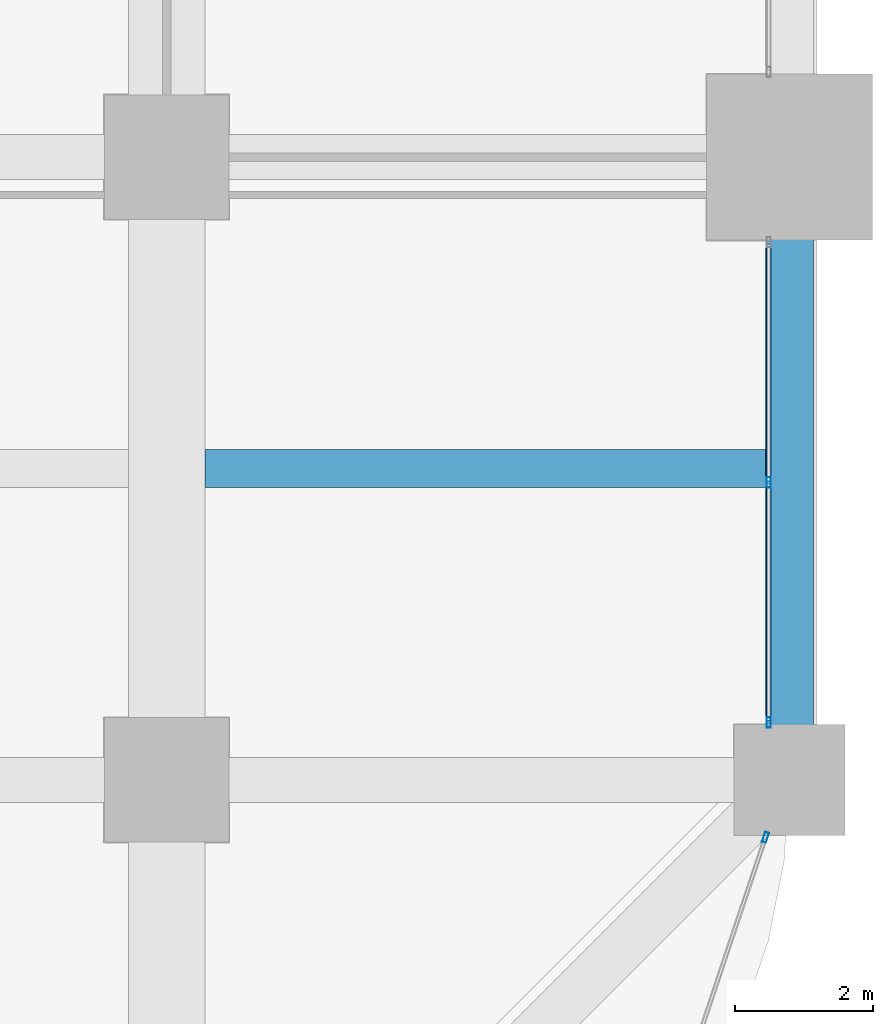
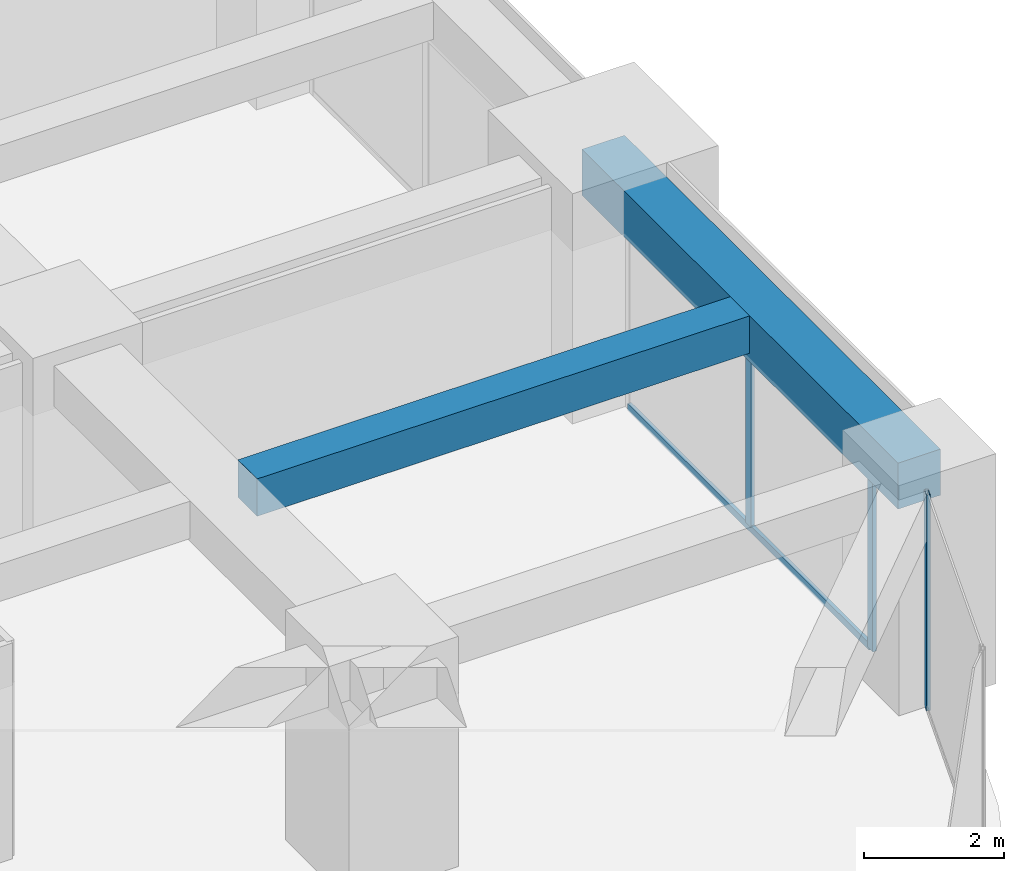
# One storey, part 19 of 40: 4 members, 2 beams, 2 elements without a shape of their own.
"""IFC4 building model written with IfcOpenShell, lengths in metres."""

from ifc_helpers import new_model, si_unit, direction, frame, origin, origin_2d, place, context, subcontext, project, spatial, rectangle, hollow_rectangle, extrude, material, material_profile, profile_set, type_object, element, aggregate, save


model = new_model("IFC4")

# Units and contexts
model_context = context("Model", 3, precision=1e-05, world=origin(), true_north=direction((0.0, 1.0)))
body_context = subcontext(model_context, "Body", "Model", "MODEL_VIEW")
ifc_project = project(units=[si_unit("LENGTHUNIT", "METRE"), si_unit("AREAUNIT", "SQUARE_METRE"), si_unit("VOLUMEUNIT", "CUBIC_METRE"), si_unit("PLANEANGLEUNIT", "RADIAN"), si_unit("MASSUNIT", "GRAM", prefix="KILO")], contexts=[model_context])

# Site, building, storey
site_placement = place(None, origin())
site = spatial("IfcSite", under=ifc_project, at=site_placement, CompositionType="ELEMENT")
building_placement = place(site_placement, origin())
building = spatial("IfcBuilding", under=site, at=building_placement, Name="Zorevar Civic Tower", CompositionType="ELEMENT")
storey_placement = place(building_placement, frame((0.0, 0.0, 133.0)))
storey = spatial("IfcBuildingStorey", under=building, at=storey_placement, Name="L32", CompositionType="ELEMENT", Elevation=133.0)

# Beam
ifc_material_1 = material(Name="Concrete C50/60", Category="concrete")
ifc_material_profile_1 = material_profile(ifc_material_1, rectangle(XDim=0.550048828125, YDim=0.64990234375, at=origin_2d()), Name="RC 550x650")
ifc_profile_set_1 = profile_set([ifc_material_profile_1], Name="Concrete C50/60")
beam_type_1 = type_object("IfcBeamType", Name="Beam RC 550x650", PredefinedType="BEAM", material=ifc_profile_set_1)
beam_1_placement = place(storey_placement, frame((54.550048828125, 13.5, 3.425048828125), z_axis=(1.0, 0.0, 0.0), x_axis=(0.0, 1.0, 0.0)))
element("IfcBeam", 1, at=beam_1_placement, inside=storey, type_object=beam_type_1, Name="Secondary beam L33", PredefinedType="BEAM", context=body_context, shape_type="SweptSolid", body=[
    extrude(rectangle(XDim=0.550048828125, YDim=0.64990234375, at=origin_2d()), origin(), (0.0, 0.0, 1.0), 8.099853515625),
])

# Curtain wall, members
ifc_material_2 = material(Name="Dark grey solar-control glass in black aluminium frame", Category="aluminium")
curtain_wall_type = type_object("IfcCurtainWallType", Name="Curtain wall CW3 mid zone", PredefinedType="NOTDEFINED", material=ifc_material_2)
curtain_wall_1_placement = place(storey_placement, origin())
curtain_wall_1 = element("IfcCurtainWall", 2, at=curtain_wall_1_placement, inside=storey, type_object=curtain_wall_type, Name="CW3 L32", PredefinedType="NOTDEFINED")
ifc_material_3 = material(Name="Aluminium, black anodised", Category="aluminium")
ifc_material_profile_2 = material_profile(ifc_material_3, hollow_rectangle(XDim=0.06005859375, YDim=0.14990234375, WallThickness=0.00390625, at=origin_2d()), Name="AL 150x60x4")
ifc_profile_set_2 = profile_set([ifc_material_profile_2], Name="Aluminium, black anodised")
member_type_1 = type_object("IfcMemberType", Name="CW3 mullion AL 150x60x4", PredefinedType="MULLION", material=ifc_profile_set_2)
member_1_placement = place(storey_placement, frame((62.699951171875, 9.830078125, 0.0), z_axis=(0.0, 0.0, 1.0), x_axis=(-1.0, 0.0, 0.0)))
member_1 = element("IfcMember", 3, at=member_1_placement, type_object=member_type_1, Name="CW3 mullion 1", PredefinedType="MULLION", context=body_context, shape_type="SweptSolid", body=[
    extrude(hollow_rectangle(XDim=0.06005859375, YDim=0.14990234375, WallThickness=0.00390625, at=origin_2d()), origin(), (0.0, 0.0, 1.0), 2.949951171875),
])
member_2_placement = place(storey_placement, frame((62.699951171875, 13.300048828125, 0.06005859375), z_axis=(0.0, 0.0, 1.0), x_axis=(-1.0, 0.0, 0.0)))
member_2 = element("IfcMember", 4, at=member_2_placement, type_object=member_type_1, Name="CW3 mullion 2", PredefinedType="MULLION", context=body_context, shape_type="SweptSolid", body=[
    extrude(hollow_rectangle(XDim=0.06005859375, YDim=0.14990234375, WallThickness=0.00390625, at=origin_2d()), origin(), (0.0, 0.0, 1.0), 2.889892578125),
])

# Curtain wall, member
curtain_wall_2_placement = place(storey_placement, origin())
curtain_wall_2 = element("IfcCurtainWall", 5, at=curtain_wall_2_placement, inside=storey, type_object=curtain_wall_type, Name="CW3 L32", PredefinedType="NOTDEFINED")
member_3_placement = place(storey_placement, frame((62.653564453125, 8.171630859375, 0.0), z_axis=(0.0, 0.0, 1.0), x_axis=(-0.948227238701, 0.317592669603, 0.0)))
member_3 = element("IfcMember", 6, at=member_3_placement, type_object=member_type_1, Name="CW3 mullion 2", PredefinedType="MULLION", context=body_context, shape_type="SweptSolid", body=[
    extrude(hollow_rectangle(XDim=0.06005859375, YDim=0.14990234375, WallThickness=0.00390625, at=origin_2d()), origin(), (0.0, 0.0, 1.0), 3.75),
])
aggregate(curtain_wall_2, [member_3])

# Member
ifc_material_4 = material(Name="Aluminium, black anodised", Category="aluminium")
ifc_material_profile_3 = material_profile(ifc_material_4, hollow_rectangle(XDim=0.06005859375, YDim=0.1201171875, WallThickness=0.0029296875, at=origin_2d()), Name="AL 120x60x3")
ifc_profile_set_3 = profile_set([ifc_material_profile_3], Name="Aluminium, black anodised")
member_type_2 = type_object("IfcMemberType", Name="CW3 transom AL 120x60x3", PredefinedType="USERDEFINED", material=ifc_profile_set_3)
member_4_placement = place(storey_placement, frame((62.699951171875, 9.860107421875, 0.030029296875), z_axis=(0.0, 1.0, 0.0), x_axis=(-1.0, 0.0, 0.0)))
member_4 = element("IfcMember", 7, at=member_4_placement, type_object=member_type_2, Name="CW3 sill transom", ObjectType="TRANSOM", PredefinedType="USERDEFINED", context=body_context, shape_type="SweptSolid", body=[
    extrude(hollow_rectangle(XDim=0.06005859375, YDim=0.1201171875, WallThickness=0.0029296875, at=origin_2d()), origin(), (0.0, 0.0, 1.0), 6.8798828125),
])

aggregate(curtain_wall_1, [member_1, member_2, member_4])

# Beam
ifc_material_5 = material(Name="Concrete C50/60", Category="concrete")
ifc_material_profile_4 = material_profile(ifc_material_5, rectangle(XDim=0.699951171875, YDim=0.800048828125, at=origin_2d()), Name="RC 700x800")
ifc_profile_set_4 = profile_set([ifc_material_profile_4], Name="Concrete C50/60")
beam_type_2 = type_object("IfcBeamType", Name="Edge beam RC 700x800", PredefinedType="SPANDREL", material=ifc_profile_set_4)
beam_2_placement = place(storey_placement, frame((63.0, 9.0, 3.35009765625), z_axis=(0.0, 1.0, 0.0), x_axis=(-1.0, 0.0, 0.0)))
element("IfcBeam", 8, at=beam_2_placement, inside=storey, type_object=beam_type_2, Name="Edge beam L33", PredefinedType="SPANDREL", context=body_context, shape_type="SweptSolid", body=[
    extrude(rectangle(XDim=0.699951171875, YDim=0.800048828125, at=origin_2d()), origin(), (0.0, 0.0, 1.0), 9.0),
])

save(model, "model.ifc")
